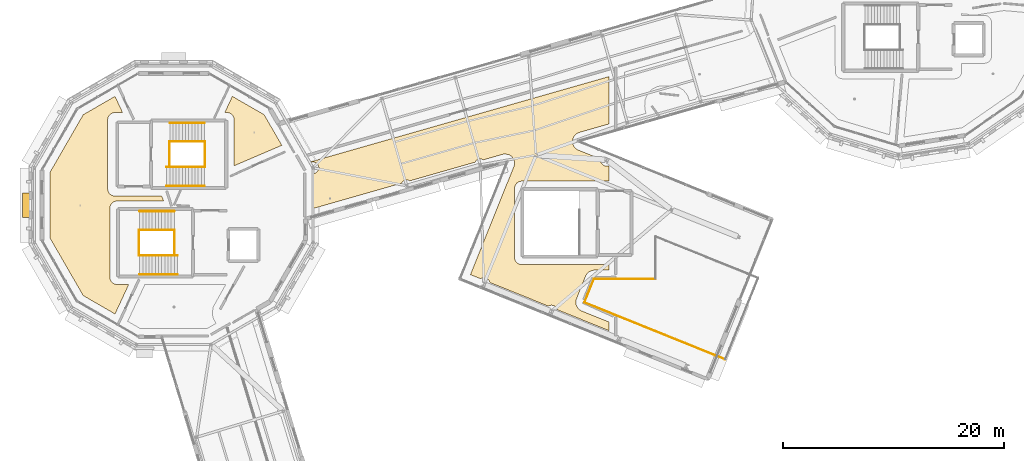
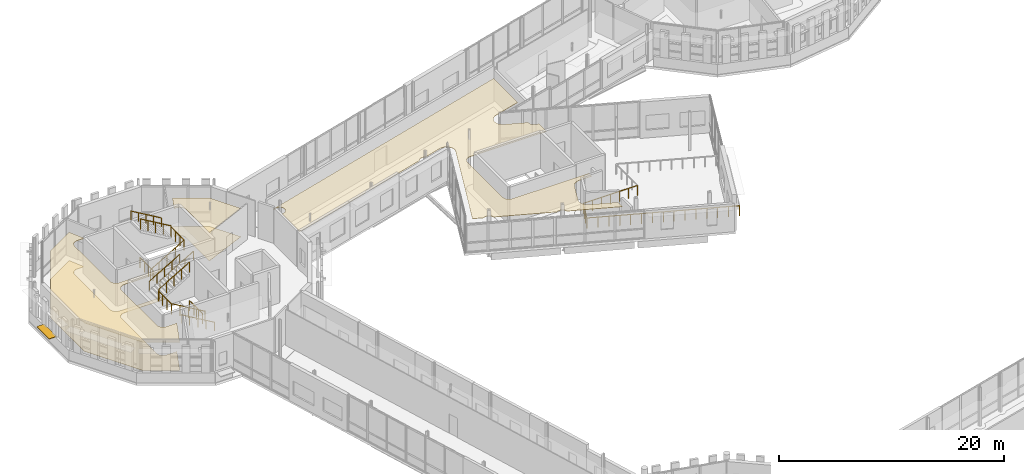
# One storey, part 120 of 125: 15 railings, 5 coverings, 1 shading device.
"""IFC4 building model written with IfcOpenShell, lengths in metres."""

from ifc_helpers import new_model, si_unit, direction, frame, origin, origin_2d, place, context, subcontext, project, spatial, polyline, rectangle, circle, outline, extrude, material, layer, layer_set, type_object, element, save


model = new_model("IFC4")

# Units and contexts
model_context = context("Model", 3, precision=1e-05, world=origin(), true_north=direction((0.0, 1.0)))
body_context = subcontext(model_context, "Body", "Model", "MODEL_VIEW")
ifc_project = project(units=[si_unit("LENGTHUNIT", "METRE"), si_unit("AREAUNIT", "SQUARE_METRE"), si_unit("VOLUMEUNIT", "CUBIC_METRE"), si_unit("PLANEANGLEUNIT", "RADIAN"), si_unit("MASSUNIT", "GRAM", prefix="KILO")], contexts=[model_context])

# Site, building, storey
site_placement = place(None, origin())
site = spatial("IfcSite", under=ifc_project, at=site_placement, CompositionType="ELEMENT")
building_placement = place(site_placement, origin())
building = spatial("IfcBuilding", under=site, at=building_placement, Name="Wrenclough Park School", CompositionType="ELEMENT")
storey_placement = place(building_placement, frame((0.0, 0.0, 4.199951171875)))
storey = spatial("IfcBuildingStorey", under=building, at=storey_placement, Name="L01", CompositionType="ELEMENT", Elevation=4.199951171875)

# Shading device
ifc_material_1 = material(Name="Anodised extruded aluminium solar louvre", Category="aluminium")
ifc_layer_1 = layer(ifc_material_1, 0.06005859375)
ifc_layer_set_1 = layer_set([ifc_layer_1], Name="Anodised extruded aluminium solar louvre")
shading_device_type = type_object("IfcShadingDeviceType", Name="ENV-SL-01", PredefinedType="JALOUSIE", material=ifc_layer_set_1)
shading_device_placement = place(storey_placement, frame((3.1884765625, 89.5, 1.030029296875), z_axis=(0.0, 0.0, 1.0), x_axis=(0.0, -1.0, 0.0)))
element("IfcShadingDevice", 1, at=shading_device_placement, inside=storey, type_object=shading_device_type, Name="D3 L01 sun-side aluminium solar louvre 022", PredefinedType="JALOUSIE", context=body_context, shape_type="SweptSolid", body=[
    extrude(rectangle(XDim=2.199951171875, YDim=0.75, at=origin_2d()), origin(), (0.0, 0.0, 1.0), 0.06005859375),
])

# Coverings
ifc_material_2 = material(Name="Class A mineral-fibre acoustic ceiling raft", Category="gypsum")
ifc_layer_2 = layer(ifc_material_2, 0.044921875)
ifc_layer_set_2 = layer_set([ifc_layer_2], Name="Class A mineral-fibre acoustic ceiling raft")
covering_type_1 = type_object("IfcCoveringType", Name="INT-COV-CEIL", PredefinedType="CEILING", material=ifc_layer_set_2)
covering_1_placement = place(storey_placement, frame((0.0, 0.0, 3.054931640625)))
element("IfcCovering", 2, at=covering_1_placement, inside=storey, type_object=covering_type_1, Name="Robotics Science Laboratory acoustic ceiling raft", PredefinedType="CEILING", context=body_context, shape_type="SweptSolid", body=[
    extrude(outline(polyline([(11.3798828125, 89.8701171875), (15.6103515625, 89.8701171875), (15.395751953125, 90.330078125), (11.1162109375, 90.3330078125), (10.9912109375, 90.35791015625), (10.931396484375, 90.37939453125), (10.81884765625, 90.439453125), (10.767578125, 90.4775390625), (10.677490234375, 90.567626953125), (10.639404296875, 90.618896484375), (10.57958984375, 90.731201171875), (10.54248046875, 90.853271484375), (10.530029296875, 90.97998046875), (10.530029296875, 97.219970703125), (10.54248046875, 97.3466796875), (10.57958984375, 97.46875), (10.639404296875, 97.5810546875), (10.677490234375, 97.63232421875), (10.767578125, 97.722412109375), (10.81884765625, 97.760498046875), (10.931396484375, 97.820556640625), (11.05322265625, 97.857421875), (11.1162109375, 97.866943359375), (11.8798828125, 97.8701171875), (11.19384765625, 99.34130859375), (8.318603515625, 97.681396484375), (5.32421875, 92.494384765625), (5.32421875, 86.505615234375), (8.318603515625, 81.318603515625), (11.19384765625, 79.65869140625), (12.439453125, 82.330078125), (11.3798828125, 82.330078125), (11.253173828125, 82.342529296875), (11.19140625, 82.35791015625), (11.13134765625, 82.37939453125), (11.018798828125, 82.439453125), (10.967529296875, 82.4775390625), (10.87744140625, 82.567626953125), (10.839599609375, 82.618896484375), (10.779541015625, 82.731201171875), (10.758056640625, 82.791259765625), (10.733154296875, 82.916259765625), (10.733154296875, 89.28369140625), (10.758056640625, 89.40869140625), (10.806884765625, 89.5263671875), (10.87744140625, 89.63232421875), (10.967529296875, 89.722412109375), (11.073486328125, 89.793212890625), (11.19140625, 89.842041015625), (11.253173828125, 89.857421875), (11.3798828125, 89.8701171875)])), origin(), (0.0, 0.0, 1.0), 0.045166015625),
])
covering_2_placement = place(storey_placement, frame((0.0, 0.0, 3.054931640625)))
element("IfcCovering", 3, at=covering_2_placement, inside=storey, type_object=covering_type_1, Name="CAD Design Classroom acoustic ceiling raft", PredefinedType="CEILING", context=body_context, shape_type="SweptSolid", body=[
    extrude(outline(polyline([(21.969970703125, 97.219970703125), (21.969970703125, 93.06494140625), (26.280029296875, 94.912109375), (24.681396484375, 97.681396484375), (21.80615234375, 99.34130859375), (21.1201171875, 97.8701171875), (21.320068359375, 97.8701171875), (21.44677734375, 97.857421875), (21.568603515625, 97.820556640625), (21.68115234375, 97.760498046875), (21.732421875, 97.722412109375), (21.822509765625, 97.63232421875), (21.893310546875, 97.5263671875), (21.94189453125, 97.40869140625), (21.95751953125, 97.3466796875), (21.969970703125, 97.219970703125)])), origin(), (0.0, 0.0, 1.0), 0.045166015625),
])
covering_3_placement = place(storey_placement, frame((0.0, 0.0, 3.054931640625)))
element("IfcCovering", 4, at=covering_3_placement, inside=storey, type_object=covering_type_1, Name="Agora Music Recital Gallery acoustic ceiling raft", PredefinedType="CEILING", context=body_context, shape_type="SweptSolid", body=[
    extrude(outline(polyline([(55.85009765625, 101.127685546875), (28.712646484375, 93.3740234375), (28.768798828125, 93.2744140625), (28.816162109375, 93.310302734375), (28.906005859375, 93.3583984375), (29.003662109375, 93.387939453125), (29.053955078125, 93.3955078125), (29.10498046875, 93.39794921875), (29.206298828125, 93.387939453125), (29.303955078125, 93.3583984375), (29.35009765625, 93.336669921875), (29.393798828125, 93.310302734375), (29.47265625, 93.24560546875), (29.537353515625, 93.1669921875), (29.563720703125, 93.123046875), (29.6025390625, 93.02880859375), (29.62255859375, 92.928955078125), (29.62255859375, 92.826904296875), (29.6025390625, 92.72705078125), (29.563720703125, 92.6328125), (29.507080078125, 92.548095703125), (29.47265625, 92.51025390625), (29.393798828125, 92.445556640625), (29.303955078125, 92.397705078125), (29.255859375, 92.38037109375), (29.156005859375, 92.360595703125), (29.10498046875, 92.35791015625), (29.02490234375, 92.36474609375), (29.025634765625, 89.1787109375), (37.1044921875, 91.48681640625), (37.17041015625, 91.5908203125), (37.2431640625, 91.663818359375), (37.32861328125, 91.720703125), (37.423583984375, 91.76025390625), (37.524658203125, 91.7802734375), (37.62744140625, 91.7802734375), (37.728271484375, 91.76025390625), (37.77685546875, 91.742919921875), (37.855712890625, 91.701416015625), (43.75439453125, 93.386962890625), (43.8203125, 93.490966796875), (43.89306640625, 93.563720703125), (43.978515625, 93.620849609375), (44.07373046875, 93.66015625), (44.174560546875, 93.680419921875), (44.27734375, 93.680419921875), (44.37841796875, 93.66015625), (44.4267578125, 93.642822265625), (44.505615234375, 93.6015625), (46.322265625, 94.116455078125), (46.463623046875, 94.125), (46.5341796875, 94.11767578125), (46.701416015625, 94.091064453125), (46.8232421875, 94.05908203125), (46.93701171875, 94.00439453125), (47.03759765625, 93.9287109375), (47.186279296875, 93.76318359375), (47.2509765625, 93.655029296875), (47.29345703125, 93.53662109375), (47.330078125, 93.37646484375), (47.335205078125, 93.240478515625), (47.311767578125, 93.106201171875), (43.334716796875, 83.21533203125), (44.255615234375, 82.84326171875), (44.328125, 82.88037109375), (44.38134765625, 82.8994140625), (44.492431640625, 82.92138671875), (44.549072265625, 82.92431640625), (44.66162109375, 82.9130859375), (44.77001953125, 82.88037109375), (44.86962890625, 82.826904296875), (44.915283203125, 82.793212890625), (44.9951171875, 82.713134765625), (45.05810546875, 82.619140625), (45.10498046875, 82.500244140625), (50.37451171875, 80.37109375), (50.447021484375, 80.408203125), (50.50048828125, 80.427490234375), (50.611328125, 80.449462890625), (50.724609375, 80.449462890625), (50.835693359375, 80.427490234375), (50.888916015625, 80.408203125), (50.98876953125, 80.35498046875), (51.0341796875, 80.3212890625), (51.1142578125, 80.2412109375), (51.177001953125, 80.147216796875), (51.22412109375, 80.02783203125), (55.85009765625, 78.158935546875), (55.85009765625, 78.938232421875), (53.408203125, 79.924560546875), (53.29541015625, 79.98388671875), (53.0966796875, 80.14404296875), (53.053466796875, 80.19091796875), (52.98193359375, 80.2958984375), (52.93212890625, 80.4130859375), (52.893798828125, 80.534912109375), (52.8681640625, 80.658447265625), (52.8642578125, 80.721435546875), (52.875, 80.84716796875), (52.90966796875, 80.968505859375), (53.7412109375, 83.0712890625), (53.79052734375, 83.17041015625), (53.92529296875, 83.35302734375), (54.019775390625, 83.439697265625), (54.12939453125, 83.505859375), (54.3291015625, 83.581298828125), (54.437744140625, 83.6103515625), (54.5498046875, 83.6201171875), (55.85009765625, 83.6201171875), (55.85009765625, 84.1298828125), (47.97998046875, 84.1298828125), (47.853271484375, 84.142578125), (47.791259765625, 84.157958984375), (47.673583984375, 84.206787109375), (47.567626953125, 84.277587890625), (47.4775390625, 84.36767578125), (47.439453125, 84.4189453125), (47.37939453125, 84.53125), (47.35791015625, 84.59130859375), (47.3330078125, 84.71630859375), (47.330078125, 84.780029296875), (47.330078125, 91.02001953125), (47.342529296875, 91.146728515625), (47.37939453125, 91.268798828125), (47.439453125, 91.381103515625), (47.5205078125, 91.4794921875), (47.618896484375, 91.560546875), (47.731201171875, 91.62060546875), (47.853271484375, 91.657470703125), (47.916259765625, 91.6669921875), (55.85009765625, 91.669921875), (55.85009765625, 93.049560546875), (55.730712890625, 93.0244140625), (55.674072265625, 93.021728515625), (55.561279296875, 93.03271484375), (55.453125, 93.065673828125), (55.40185546875, 93.08984375), (55.307861328125, 93.15283203125), (55.227783203125, 93.23291015625), (55.164794921875, 93.326904296875), (55.140625, 93.378173828125), (55.12158203125, 93.431396484375), (55.099609375, 93.54248046875), (55.1015625, 93.668701171875), (53.10205078125, 94.4765625), (52.98828125, 94.5361328125), (52.79736328125, 94.69091796875), (52.715087890625, 94.790283203125), (52.681884765625, 94.845458984375), (52.654296875, 94.90380859375), (52.598388671875, 95.07666015625), (52.574462890625, 95.19384765625), (52.570556640625, 95.25341796875), (52.572265625, 95.313232421875), (52.592041015625, 95.43115234375), (52.656494140625, 95.615966796875), (52.7080078125, 95.72412109375), (52.778076171875, 95.8212890625), (52.864990234375, 95.903564453125), (53.067626953125, 96.03466796875), (53.18701171875, 96.081787109375), (55.85009765625, 96.8427734375), (55.85009765625, 101.127685546875)])), origin(), (0.0, 0.0, 1.0), 0.045166015625),
])
ifc_material_3 = material(Name="Acoustic natural linoleum school flooring", Category="wood")
ifc_layer_3 = layer(ifc_material_3, 0.014892578125)
ifc_layer_set_3 = layer_set([ifc_layer_3], Name="Acoustic natural linoleum school flooring")
covering_type_2 = type_object("IfcCoveringType", Name="INT-COV-FLOOR1", PredefinedType="FLOORING", material=ifc_layer_set_3)
covering_4_placement = place(storey_placement, origin())
element("IfcCovering", 5, at=covering_4_placement, inside=storey, type_object=covering_type_2, Name="Robotics Science Laboratory floor finish", PredefinedType="FLOORING", context=body_context, shape_type="SweptSolid", body=[
    extrude(outline(polyline([(11.3798828125, 89.8701171875), (15.6103515625, 89.8701171875), (15.395751953125, 90.330078125), (11.1162109375, 90.3330078125), (10.9912109375, 90.35791015625), (10.931396484375, 90.37939453125), (10.81884765625, 90.439453125), (10.767578125, 90.4775390625), (10.677490234375, 90.567626953125), (10.639404296875, 90.618896484375), (10.57958984375, 90.731201171875), (10.54248046875, 90.853271484375), (10.530029296875, 90.97998046875), (10.530029296875, 97.219970703125), (10.54248046875, 97.3466796875), (10.57958984375, 97.46875), (10.639404296875, 97.5810546875), (10.677490234375, 97.63232421875), (10.767578125, 97.722412109375), (10.81884765625, 97.760498046875), (10.931396484375, 97.820556640625), (11.05322265625, 97.857421875), (11.1162109375, 97.866943359375), (11.8798828125, 97.8701171875), (11.19384765625, 99.34130859375), (8.318603515625, 97.681396484375), (5.32421875, 92.494384765625), (5.32421875, 86.505615234375), (8.318603515625, 81.318603515625), (11.19384765625, 79.65869140625), (12.439453125, 82.330078125), (11.3798828125, 82.330078125), (11.253173828125, 82.342529296875), (11.19140625, 82.35791015625), (11.13134765625, 82.37939453125), (11.018798828125, 82.439453125), (10.967529296875, 82.4775390625), (10.87744140625, 82.567626953125), (10.839599609375, 82.618896484375), (10.779541015625, 82.731201171875), (10.758056640625, 82.791259765625), (10.733154296875, 82.916259765625), (10.733154296875, 89.28369140625), (10.758056640625, 89.40869140625), (10.806884765625, 89.5263671875), (10.87744140625, 89.63232421875), (10.967529296875, 89.722412109375), (11.073486328125, 89.793212890625), (11.19140625, 89.842041015625), (11.253173828125, 89.857421875), (11.3798828125, 89.8701171875)])), origin(), (0.0, 0.0, 1.0), 0.01513671875),
])
covering_5_placement = place(storey_placement, origin())
element("IfcCovering", 6, at=covering_5_placement, inside=storey, type_object=covering_type_2, Name="CAD Design Classroom floor finish", PredefinedType="FLOORING", context=body_context, shape_type="SweptSolid", body=[
    extrude(outline(polyline([(21.969970703125, 97.219970703125), (21.969970703125, 93.06494140625), (26.280029296875, 94.912109375), (24.681396484375, 97.681396484375), (21.80615234375, 99.34130859375), (21.1201171875, 97.8701171875), (21.320068359375, 97.8701171875), (21.44677734375, 97.857421875), (21.568603515625, 97.820556640625), (21.68115234375, 97.760498046875), (21.732421875, 97.722412109375), (21.822509765625, 97.63232421875), (21.893310546875, 97.5263671875), (21.94189453125, 97.40869140625), (21.95751953125, 97.3466796875), (21.969970703125, 97.219970703125)])), origin(), (0.0, 0.0, 1.0), 0.01513671875),
])

# Railings
ifc_material_4 = material(Name="Powder-coated steel vertical-baluster stair and atrium guard", Category="steel")
railing_type_1 = type_object("IfcRailingType", Name="INT-RL-GD1120", PredefinedType="GUARDRAIL", material=ifc_material_4)
railing_1_placement = place(storey_placement, frame((16.594970703125, 84.949951171875, 0.0)))
element("IfcRailing", 7, at=railing_1_placement, inside=storey, type_object=railing_type_1, Name="ST-03 L01 well guard 1", PredefinedType="GUARDRAIL", context=body_context, shape_type="SweptSolid", body=[
    extrude(circle(Radius=0.02392578125, at=origin_2d()), frame((0.0, 0.0, 1.09619140625), z_axis=(0.0, 1.0, 0.0), x_axis=(-1.0, 0.0, 0.0)), (0.0, 0.0, 1.0), 2.300048828125),
    extrude(circle(Radius=0.02099609375, at=origin_2d()), origin(), (0.0, 0.0, 1.0), 1.072021484375),
    extrude(circle(Radius=0.02099609375, at=origin_2d()), frame((0.0, 0.7666015625, 0.0)), (0.0, 0.0, 1.0), 1.072021484375),
    extrude(circle(Radius=0.02099609375, at=origin_2d()), frame((0.0, 1.533447265625, 0.0)), (0.0, 0.0, 1.0), 1.072021484375),
    extrude(circle(Radius=0.02099609375, at=origin_2d()), frame((0.0, 2.300048828125, 0.0)), (0.0, 0.0, 1.0), 1.072021484375),
])
railing_2_placement = place(storey_placement, frame((16.840087890625, 84.949951171875, 0.16796875)))
element("IfcRailing", 8, at=railing_2_placement, inside=storey, type_object=railing_type_1, Name="ST-03 L01 well guard 2", PredefinedType="GUARDRAIL", context=body_context, shape_type="SweptSolid", body=[
    extrude(circle(Radius=0.02392578125, at=origin_2d()), frame((0.0, 0.0, 1.09619140625), z_axis=(-0.861465926511, 0.0, 0.507815377338), x_axis=(0.0, -1.0, 0.0)), (0.0, 0.0, 1.0), 3.97021484375),
    extrude(circle(Radius=0.02099609375, at=origin_2d()), origin(), (0.0, 0.0, 1.0), 1.072021484375),
    extrude(circle(Radius=0.02099609375, at=origin_2d()), frame((-0.85498046875, 0.0, 0.50390625)), (0.0, 0.0, 1.0), 1.072021484375),
    extrude(circle(Radius=0.02099609375, at=origin_2d()), frame((-1.7099609375, 0.0, 1.008056640625)), (0.0, 0.0, 1.0), 1.072021484375),
    extrude(circle(Radius=0.02099609375, at=origin_2d()), frame((-2.565185546875, 0.0, 1.51220703125)), (0.0, 0.0, 1.0), 1.072021484375),
    extrude(circle(Radius=0.02099609375, at=origin_2d()), frame((-3.420166015625, 0.0, 2.01611328125)), (0.0, 0.0, 1.0), 1.072021484375),
])
railing_3_placement = place(storey_placement, frame((13.3798828125, 84.949951171875, 2.18408203125)))
element("IfcRailing", 9, at=railing_3_placement, inside=storey, type_object=railing_type_1, Name="ST-03 L01 well guard 3", PredefinedType="GUARDRAIL", context=body_context, shape_type="SweptSolid", body=[
    extrude(circle(Radius=0.02392578125, at=origin_2d()), frame((0.0, 0.0, 1.09619140625), z_axis=(0.0, 1.0, 0.0), x_axis=(-1.0, 0.0, 0.0)), (0.0, 0.0, 1.0), 2.300048828125),
    extrude(circle(Radius=0.02099609375, at=origin_2d()), origin(), (0.0, 0.0, 1.0), 1.072021484375),
    extrude(circle(Radius=0.02099609375, at=origin_2d()), frame((0.0, 0.7666015625, 0.0)), (0.0, 0.0, 1.0), 1.072021484375),
    extrude(circle(Radius=0.02099609375, at=origin_2d()), frame((0.0, 1.533447265625, 0.0)), (0.0, 0.0, 1.0), 1.072021484375),
    extrude(circle(Radius=0.02099609375, at=origin_2d()), frame((0.0, 2.300048828125, 0.0)), (0.0, 0.0, 1.0), 1.072021484375),
])
railing_4_placement = place(storey_placement, frame((13.419921875, 87.25, 2.35205078125)))
element("IfcRailing", 10, at=railing_4_placement, inside=storey, type_object=railing_type_1, Name="ST-03 L01 well guard 4", PredefinedType="GUARDRAIL", context=body_context, shape_type="SweptSolid", body=[
    extrude(circle(Radius=0.02392578125, at=origin_2d()), frame((0.0, 0.0, 1.09619140625), z_axis=(0.861480291558, 0.0, 0.50779100746), x_axis=(0.0, 1.0, 0.0)), (0.0, 0.0, 1.0), 3.63916015625),
    extrude(circle(Radius=0.02099609375, at=origin_2d()), origin(), (0.0, 0.0, 1.0), 1.072021484375),
    extrude(circle(Radius=0.02099609375, at=origin_2d()), frame((0.78369140625, 0.0, 0.4619140625)), (0.0, 0.0, 1.0), 1.072021484375),
    extrude(circle(Radius=0.02099609375, at=origin_2d()), frame((1.5673828125, 0.0, 0.923828125)), (0.0, 0.0, 1.0), 1.072021484375),
    extrude(circle(Radius=0.02099609375, at=origin_2d()), frame((2.351318359375, 0.0, 1.385986328125)), (0.0, 0.0, 1.0), 1.072021484375),
    extrude(circle(Radius=0.02099609375, at=origin_2d()), frame((3.135009765625, 0.0, 1.847900390625)), (0.0, 0.0, 1.0), 1.072021484375),
])
railing_5_placement = place(storey_placement, frame((16.10498046875, 92.949951171875, 0.0)))
element("IfcRailing", 11, at=railing_5_placement, inside=storey, type_object=railing_type_1, Name="ST-07 L01 well guard 1", PredefinedType="GUARDRAIL", context=body_context, shape_type="SweptSolid", body=[
    extrude(circle(Radius=0.02392578125, at=origin_2d()), frame((0.0, 0.0, 1.09619140625), z_axis=(0.0, 1.0, 0.0), x_axis=(-1.0, 0.0, 0.0)), (0.0, 0.0, 1.0), 2.300048828125),
    extrude(circle(Radius=0.02099609375, at=origin_2d()), origin(), (0.0, 0.0, 1.0), 1.072021484375),
    extrude(circle(Radius=0.02099609375, at=origin_2d()), frame((0.0, 0.7666015625, 0.0)), (0.0, 0.0, 1.0), 1.072021484375),
    extrude(circle(Radius=0.02099609375, at=origin_2d()), frame((0.0, 1.533447265625, 0.0)), (0.0, 0.0, 1.0), 1.072021484375),
    extrude(circle(Radius=0.02099609375, at=origin_2d()), frame((0.0, 2.300048828125, 0.0)), (0.0, 0.0, 1.0), 1.072021484375),
])
railing_6_placement = place(storey_placement, frame((15.860107421875, 92.949951171875, 0.16796875)))
element("IfcRailing", 12, at=railing_6_placement, inside=storey, type_object=railing_type_1, Name="ST-07 L01 well guard 2", PredefinedType="GUARDRAIL", context=body_context, shape_type="SweptSolid", body=[
    extrude(circle(Radius=0.02392578125, at=origin_2d()), frame((0.0, 0.0, 1.09619140625), z_axis=(0.861450067461, 0.0, 0.507842279918), x_axis=(0.0, 1.0, 0.0)), (0.0, 0.0, 1.0), 3.969970703125),
    extrude(circle(Radius=0.02099609375, at=origin_2d()), origin(), (0.0, 0.0, 1.0), 1.072021484375),
    extrude(circle(Radius=0.02099609375, at=origin_2d()), frame((0.85498046875, 0.0, 0.50390625)), (0.0, 0.0, 1.0), 1.072021484375),
    extrude(circle(Radius=0.02099609375, at=origin_2d()), frame((1.7099609375, 0.0, 1.008056640625)), (0.0, 0.0, 1.0), 1.072021484375),
    extrude(circle(Radius=0.02099609375, at=origin_2d()), frame((2.56494140625, 0.0, 1.51220703125)), (0.0, 0.0, 1.0), 1.072021484375),
    extrude(circle(Radius=0.02099609375, at=origin_2d()), frame((3.419921875, 0.0, 2.01611328125)), (0.0, 0.0, 1.0), 1.072021484375),
])
railing_7_placement = place(storey_placement, frame((19.320068359375, 92.949951171875, 2.18408203125)))
element("IfcRailing", 13, at=railing_7_placement, inside=storey, type_object=railing_type_1, Name="ST-07 L01 well guard 3", PredefinedType="GUARDRAIL", context=body_context, shape_type="SweptSolid", body=[
    extrude(circle(Radius=0.02392578125, at=origin_2d()), frame((0.0, 0.0, 1.09619140625), z_axis=(0.0, 1.0, 0.0), x_axis=(-1.0, 0.0, 0.0)), (0.0, 0.0, 1.0), 2.300048828125),
    extrude(circle(Radius=0.02099609375, at=origin_2d()), origin(), (0.0, 0.0, 1.0), 1.072021484375),
    extrude(circle(Radius=0.02099609375, at=origin_2d()), frame((0.0, 0.7666015625, 0.0)), (0.0, 0.0, 1.0), 1.072021484375),
    extrude(circle(Radius=0.02099609375, at=origin_2d()), frame((0.0, 1.533447265625, 0.0)), (0.0, 0.0, 1.0), 1.072021484375),
    extrude(circle(Radius=0.02099609375, at=origin_2d()), frame((0.0, 2.300048828125, 0.0)), (0.0, 0.0, 1.0), 1.072021484375),
])
railing_8_placement = place(storey_placement, frame((19.280029296875, 95.25, 2.35205078125)))
element("IfcRailing", 14, at=railing_8_placement, inside=storey, type_object=railing_type_1, Name="ST-07 L01 well guard 4", PredefinedType="GUARDRAIL", context=body_context, shape_type="SweptSolid", body=[
    extrude(circle(Radius=0.02392578125, at=origin_2d()), frame((0.0, 0.0, 1.09619140625), z_axis=(-0.861480291558, 0.0, 0.50779100746), x_axis=(0.0, -1.0, 0.0)), (0.0, 0.0, 1.0), 3.63916015625),
    extrude(circle(Radius=0.02099609375, at=origin_2d()), origin(), (0.0, 0.0, 1.0), 1.072021484375),
    extrude(circle(Radius=0.02099609375, at=origin_2d()), frame((-0.78369140625, 0.0, 0.4619140625)), (0.0, 0.0, 1.0), 1.072021484375),
    extrude(circle(Radius=0.02099609375, at=origin_2d()), frame((-1.5673828125, 0.0, 0.923828125)), (0.0, 0.0, 1.0), 1.072021484375),
    extrude(circle(Radius=0.02099609375, at=origin_2d()), frame((-2.351318359375, 0.0, 1.385986328125)), (0.0, 0.0, 1.0), 1.072021484375),
    extrude(circle(Radius=0.02099609375, at=origin_2d()), frame((-3.135009765625, 0.0, 1.847900390625)), (0.0, 0.0, 1.0), 1.072021484375),
])
railing_9_placement = place(storey_placement, frame((60.054931640625, 82.820068359375, 0.0)))
element("IfcRailing", 15, at=railing_9_placement, inside=storey, type_object=railing_type_1, Name="W34 L01 void perimeter guard 1.3", PredefinedType="GUARDRAIL", context=body_context, shape_type="SweptSolid", body=[
    extrude(circle(Radius=0.02392578125, at=origin_2d()), frame((0.0, 0.0, 1.09619140625), z_axis=(-1.0, 0.0, 0.0), x_axis=(0.0, -1.0, 0.0)), (0.0, 0.0, 1.0), 5.52734375),
    extrude(circle(Radius=0.02099609375, at=origin_2d()), origin(), (0.0, 0.0, 1.0), 1.072021484375),
    extrude(circle(Radius=0.02099609375, at=origin_2d()), frame((-0.921142578125, 0.0, 0.0)), (0.0, 0.0, 1.0), 1.072021484375),
    extrude(circle(Radius=0.02099609375, at=origin_2d()), frame((-1.842529296875, 0.0, 0.0)), (0.0, 0.0, 1.0), 1.072021484375),
    extrude(circle(Radius=0.02099609375, at=origin_2d()), frame((-2.763671875, 0.0, 0.0)), (0.0, 0.0, 1.0), 1.072021484375),
    extrude(circle(Radius=0.02099609375, at=origin_2d()), frame((-3.684814453125, 0.0, 0.0)), (0.0, 0.0, 1.0), 1.072021484375),
    extrude(circle(Radius=0.02099609375, at=origin_2d()), frame((-4.606201171875, 0.0, 0.0)), (0.0, 0.0, 1.0), 1.072021484375),
    extrude(circle(Radius=0.02099609375, at=origin_2d()), frame((-5.52734375, 0.0, 0.0)), (0.0, 0.0, 1.0), 1.072021484375),
])
railing_10_placement = place(storey_placement, frame((54.4931640625, 82.796875, 0.0)))
element("IfcRailing", 16, at=railing_10_placement, inside=storey, type_object=railing_type_1, Name="W34 L01 void perimeter guard 1.4", PredefinedType="GUARDRAIL", context=body_context, shape_type="SweptSolid", body=[
    extrude(circle(Radius=0.02392578125, at=origin_2d()), frame((0.0, 0.0, 1.09619140625), z_axis=(-0.374614116282, -0.927180815096, 0.0), x_axis=(0.927180815096, -0.374614116282, 0.0)), (0.0, 0.0, 1.0), 2.244384765625),
    extrude(circle(Radius=0.02099609375, at=origin_2d()), origin(), (0.0, 0.0, 1.0), 1.072021484375),
    extrude(circle(Radius=0.02099609375, at=origin_2d()), frame((-0.2802734375, -0.693603515625, 0.0)), (0.0, 0.0, 1.0), 1.072021484375),
    extrude(circle(Radius=0.02099609375, at=origin_2d()), frame((-0.560546875, -1.387451171875, 0.0)), (0.0, 0.0, 1.0), 1.072021484375),
    extrude(circle(Radius=0.02099609375, at=origin_2d()), frame((-0.8408203125, -2.0810546875, 0.0)), (0.0, 0.0, 1.0), 1.072021484375),
])
railing_11_placement = place(storey_placement, frame((53.666259765625, 80.683349609375, 0.0)))
element("IfcRailing", 17, at=railing_11_placement, inside=storey, type_object=railing_type_1, Name="W34 L01 void perimeter guard 1.5", PredefinedType="GUARDRAIL", context=body_context, shape_type="SweptSolid", body=[
    extrude(circle(Radius=0.02392578125, at=origin_2d()), frame((0.0, 0.0, 1.09619140625), z_axis=(0.927182166711, -0.374610770978, 0.0), x_axis=(0.374610770978, 0.927182166711, 0.0)), (0.0, 0.0, 1.0), 13.68994140625),
    extrude(circle(Radius=0.02099609375, at=origin_2d()), origin(), (0.0, 0.0, 1.0), 1.072021484375),
    extrude(circle(Radius=0.02099609375, at=origin_2d()), frame((0.90673828125, -0.3662109375, 0.0)), (0.0, 0.0, 1.0), 1.072021484375),
    extrude(circle(Radius=0.02099609375, at=origin_2d()), frame((1.813232421875, -0.732666015625, 0.0)), (0.0, 0.0, 1.0), 1.072021484375),
    extrude(circle(Radius=0.02099609375, at=origin_2d()), frame((2.719970703125, -1.098876953125, 0.0)), (0.0, 0.0, 1.0), 1.072021484375),
    extrude(circle(Radius=0.02099609375, at=origin_2d()), frame((3.626708984375, -1.46533203125, 0.0)), (0.0, 0.0, 1.0), 1.072021484375),
    extrude(circle(Radius=0.02099609375, at=origin_2d()), frame((4.533203125, -1.83154296875, 0.0)), (0.0, 0.0, 1.0), 1.072021484375),
    extrude(circle(Radius=0.02099609375, at=origin_2d()), frame((5.43994140625, -2.197998046875, 0.0)), (0.0, 0.0, 1.0), 1.072021484375),
    extrude(circle(Radius=0.02099609375, at=origin_2d()), frame((6.3466796875, -2.564208984375, 0.0)), (0.0, 0.0, 1.0), 1.072021484375),
    extrude(circle(Radius=0.02099609375, at=origin_2d()), frame((7.253173828125, -2.930419921875, 0.0)), (0.0, 0.0, 1.0), 1.072021484375),
    extrude(circle(Radius=0.02099609375, at=origin_2d()), frame((8.159912109375, -3.296875, 0.0)), (0.0, 0.0, 1.0), 1.072021484375),
    extrude(circle(Radius=0.02099609375, at=origin_2d()), frame((9.06640625, -3.6630859375, 0.0)), (0.0, 0.0, 1.0), 1.072021484375),
    extrude(circle(Radius=0.02099609375, at=origin_2d()), frame((9.97314453125, -4.029541015625, 0.0)), (0.0, 0.0, 1.0), 1.072021484375),
    extrude(circle(Radius=0.02099609375, at=origin_2d()), frame((10.8798828125, -4.395751953125, 0.0)), (0.0, 0.0, 1.0), 1.072021484375),
    extrude(circle(Radius=0.02099609375, at=origin_2d()), frame((11.786376953125, -4.76220703125, 0.0)), (0.0, 0.0, 1.0), 1.072021484375),
    extrude(circle(Radius=0.02099609375, at=origin_2d()), frame((12.693115234375, -5.12841796875, 0.0)), (0.0, 0.0, 1.0), 1.072021484375),
])
ifc_material_5 = material(Name="Brushed stainless steel tubular handrail", Category="steel")
railing_type_2 = type_object("IfcRailingType", Name="INT-RL-HR950", PredefinedType="HANDRAIL", material=ifc_material_5)
railing_12_placement = place(storey_placement, frame((16.840087890625, 83.25, 0.16796875)))
element("IfcRailing", 18, at=railing_12_placement, inside=storey, type_object=railing_type_2, Name="ST-03 L01 pitch handrail 1", PredefinedType="HANDRAIL", context=body_context, shape_type="SweptSolid", body=[
    extrude(circle(Radius=0.02392578125, at=origin_2d()), frame((0.0, 0.0, 0.92578125), z_axis=(-0.861465926511, 0.0, 0.507815377338), x_axis=(0.0, -1.0, 0.0)), (0.0, 0.0, 1.0), 3.97021484375),
    extrude(circle(Radius=0.02099609375, at=origin_2d()), origin(), (0.0, 0.0, 1.0), 0.90185546875),
    extrude(circle(Radius=0.02099609375, at=origin_2d()), frame((-0.85498046875, 0.0, 0.50390625)), (0.0, 0.0, 1.0), 0.90185546875),
    extrude(circle(Radius=0.02099609375, at=origin_2d()), frame((-1.7099609375, 0.0, 1.008056640625)), (0.0, 0.0, 1.0), 0.90185546875),
    extrude(circle(Radius=0.02099609375, at=origin_2d()), frame((-2.565185546875, 0.0, 1.51220703125)), (0.0, 0.0, 1.0), 0.90185546875),
    extrude(circle(Radius=0.02099609375, at=origin_2d()), frame((-3.420166015625, 0.0, 2.01611328125)), (0.0, 0.0, 1.0), 0.90185546875),
])
railing_13_placement = place(storey_placement, frame((13.419921875, 88.949951171875, 2.35205078125)))
element("IfcRailing", 19, at=railing_13_placement, inside=storey, type_object=railing_type_2, Name="ST-03 L01 pitch handrail 2", PredefinedType="HANDRAIL", context=body_context, shape_type="SweptSolid", body=[
    extrude(circle(Radius=0.02392578125, at=origin_2d()), frame((0.0, 0.0, 0.92578125), z_axis=(0.861480291558, 0.0, 0.50779100746), x_axis=(0.0, 1.0, 0.0)), (0.0, 0.0, 1.0), 3.63916015625),
    extrude(circle(Radius=0.02099609375, at=origin_2d()), origin(), (0.0, 0.0, 1.0), 0.90185546875),
    extrude(circle(Radius=0.02099609375, at=origin_2d()), frame((0.78369140625, 0.0, 0.4619140625)), (0.0, 0.0, 1.0), 0.90185546875),
    extrude(circle(Radius=0.02099609375, at=origin_2d()), frame((1.5673828125, 0.0, 0.923828125)), (0.0, 0.0, 1.0), 0.90185546875),
    extrude(circle(Radius=0.02099609375, at=origin_2d()), frame((2.351318359375, 0.0, 1.385986328125)), (0.0, 0.0, 1.0), 0.90185546875),
    extrude(circle(Radius=0.02099609375, at=origin_2d()), frame((3.135009765625, 0.0, 1.847900390625)), (0.0, 0.0, 1.0), 0.90185546875),
])
railing_14_placement = place(storey_placement, frame((15.860107421875, 91.25, 0.16796875)))
element("IfcRailing", 20, at=railing_14_placement, inside=storey, type_object=railing_type_2, Name="ST-07 L01 pitch handrail 1", PredefinedType="HANDRAIL", context=body_context, shape_type="SweptSolid", body=[
    extrude(circle(Radius=0.02392578125, at=origin_2d()), frame((0.0, 0.0, 0.92578125), z_axis=(0.861450067461, 0.0, 0.507842279918), x_axis=(0.0, 1.0, 0.0)), (0.0, 0.0, 1.0), 3.969970703125),
    extrude(circle(Radius=0.02099609375, at=origin_2d()), origin(), (0.0, 0.0, 1.0), 0.90185546875),
    extrude(circle(Radius=0.02099609375, at=origin_2d()), frame((0.85498046875, 0.0, 0.50390625)), (0.0, 0.0, 1.0), 0.90185546875),
    extrude(circle(Radius=0.02099609375, at=origin_2d()), frame((1.7099609375, 0.0, 1.008056640625)), (0.0, 0.0, 1.0), 0.90185546875),
    extrude(circle(Radius=0.02099609375, at=origin_2d()), frame((2.56494140625, 0.0, 1.51220703125)), (0.0, 0.0, 1.0), 0.90185546875),
    extrude(circle(Radius=0.02099609375, at=origin_2d()), frame((3.419921875, 0.0, 2.01611328125)), (0.0, 0.0, 1.0), 0.90185546875),
])
railing_15_placement = place(storey_placement, frame((19.280029296875, 96.949951171875, 2.35205078125)))
element("IfcRailing", 21, at=railing_15_placement, inside=storey, type_object=railing_type_2, Name="ST-07 L01 pitch handrail 2", PredefinedType="HANDRAIL", context=body_context, shape_type="SweptSolid", body=[
    extrude(circle(Radius=0.02392578125, at=origin_2d()), frame((0.0, 0.0, 0.92578125), z_axis=(-0.861480291558, 0.0, 0.50779100746), x_axis=(0.0, -1.0, 0.0)), (0.0, 0.0, 1.0), 3.63916015625),
    extrude(circle(Radius=0.02099609375, at=origin_2d()), origin(), (0.0, 0.0, 1.0), 0.90185546875),
    extrude(circle(Radius=0.02099609375, at=origin_2d()), frame((-0.78369140625, 0.0, 0.4619140625)), (0.0, 0.0, 1.0), 0.90185546875),
    extrude(circle(Radius=0.02099609375, at=origin_2d()), frame((-1.5673828125, 0.0, 0.923828125)), (0.0, 0.0, 1.0), 0.90185546875),
    extrude(circle(Radius=0.02099609375, at=origin_2d()), frame((-2.351318359375, 0.0, 1.385986328125)), (0.0, 0.0, 1.0), 0.90185546875),
    extrude(circle(Radius=0.02099609375, at=origin_2d()), frame((-3.135009765625, 0.0, 1.847900390625)), (0.0, 0.0, 1.0), 0.90185546875),
])

save(model, "model.ifc")
